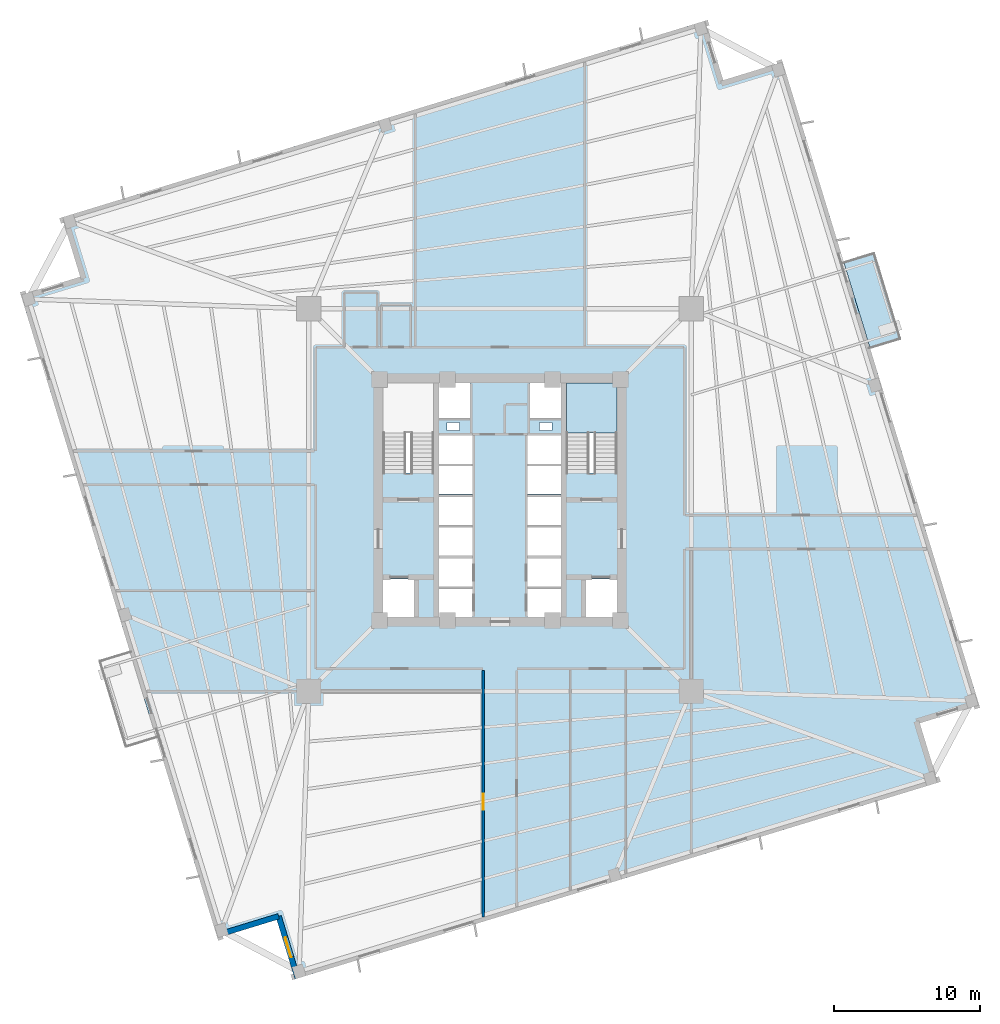
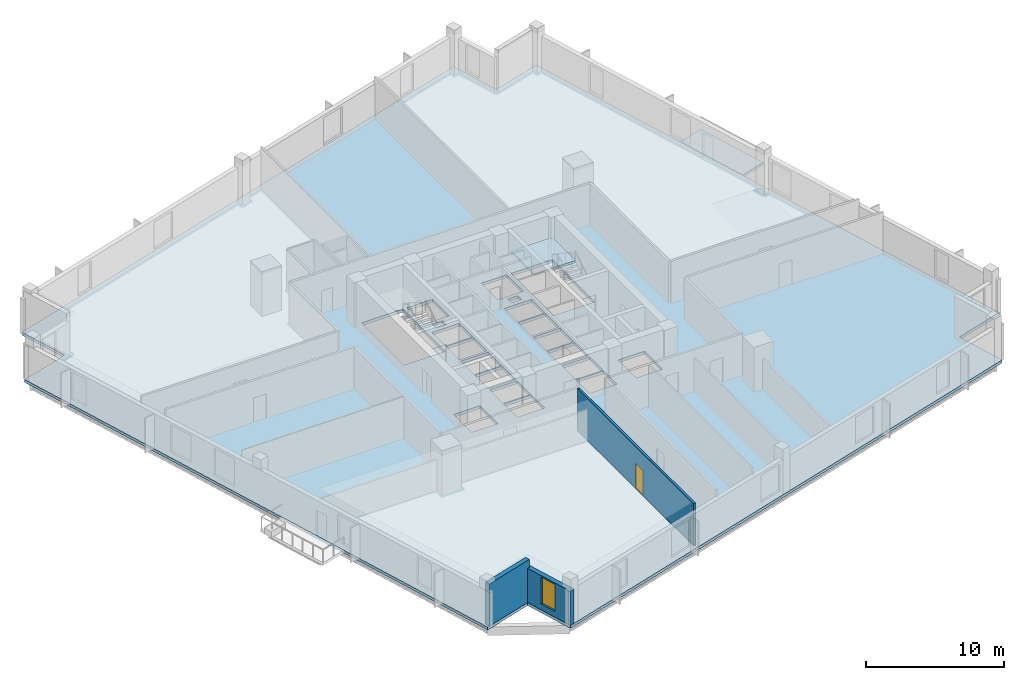
# One storey, part 2 of 9: 3 slabs, 3 walls, 1 door, 1 window, 2 openings, 1 element without a shape of its own.
"""IFC4 building model written with IfcOpenShell, lengths in metres."""

from ifc_helpers import new_model, si_unit, direction, frame, frame_2d, origin, place, context, subcontext, project, spatial, polyline, rectangle, outline, extrude, source, transform, mapped, material, layer, layer_set, type_object, element, fill, aggregate, save


model = new_model("IFC4")

# Units and contexts
model_context = context("Model", 3, precision=1e-05, world=origin(), true_north=direction((0.0, 1.0)))
body_context = subcontext(model_context, "Body", "Model", "MODEL_VIEW")
ifc_project = project(units=[si_unit("LENGTHUNIT", "METRE"), si_unit("AREAUNIT", "SQUARE_METRE"), si_unit("VOLUMEUNIT", "CUBIC_METRE"), si_unit("PLANEANGLEUNIT", "RADIAN"), si_unit("MASSUNIT", "GRAM", prefix="KILO"), si_unit("THERMODYNAMICTEMPERATUREUNIT", "KELVIN")], contexts=[model_context])

# Site, building, storey
site_placement = place(None, origin())
site = spatial("IfcSite", under=ifc_project, at=site_placement, CompositionType="ELEMENT")
building_placement = place(site_placement, origin())
building = spatial("IfcBuilding", under=site, at=building_placement, Name="Kosmvard Interchange Tower", CompositionType="ELEMENT")
storey_placement = place(building_placement, frame((0.0, 0.0, 107.199951171875)))
storey = spatial("IfcBuildingStorey", under=building, at=storey_placement, Name="L25", CompositionType="ELEMENT", Elevation=107.199951171875)

# Slab
ifc_material_1 = material(Name="Concrete C50/60", Category="concrete")
ifc_layer_1 = layer(ifc_material_1, 0.260009765625, Name="Concrete C50/60")
ifc_layer_set_1 = layer_set([ifc_layer_1], Name="Concrete C50/60")
slab_type_1 = type_object("IfcSlabType", Name="Mid-Rise Office Composite Slab 260 C50/60", PredefinedType="FLOOR", material=ifc_layer_set_1)
slab_1_placement = place(storey_placement, frame((0.0, 0.0, -0.260009765625)))
element("IfcSlab", 1, at=slab_1_placement, inside=storey, type_object=slab_type_1, Name="L25 Structural Floor Slab", PredefinedType="FLOOR", context=body_context, shape_type="SweptSolid", body=[
    extrude(outline(polyline([(-14.02783203125, -32.783935546875), (29.962158203125, -19.334716796875), (28.719482421875, -15.2705078125), (32.783935546875, -14.02783203125), (19.334716796875, 29.962158203125), (15.2705078125, 28.719482421875), (14.02783203125, 32.783935546875), (-29.962158203125, 19.334716796875), (-28.719482421875, 15.2705078125), (-32.783935546875, 14.02783203125), (-19.334716796875, -29.962158203125), (-15.2705078125, -28.719482421875), (-14.02783203125, -32.783935546875)]), holes=[polyline([(-8.0, 1.8349609375), (-4.5400390625, 1.8349609375), (-4.5400390625, 8.0), (-8.0, 8.0), (-8.0, 1.8349609375)]), polyline([(4.5400390625, 1.8349609375), (8.0, 1.8349609375), (8.0, 8.0), (4.5400390625, 8.0), (4.5400390625, 1.8349609375)]), polyline([(-8.0, -8.0), (-5.800048828125, -8.0), (-5.800048828125, -5.39990234375), (-8.0, -5.39990234375), (-8.0, -8.0)]), polyline([(5.800048828125, -8.0), (8.0, -8.0), (8.0, -5.39990234375), (5.800048828125, -5.39990234375), (5.800048828125, -8.0)]), polyline([(-4.179931640625, -8.0), (-1.8798828125, -8.0), (-1.8798828125, -6.06005859375), (-4.179931640625, -6.06005859375), (-4.179931640625, -8.0)]), polyline([(-4.179931640625, -5.93994140625), (-1.8798828125, -5.93994140625), (-1.8798828125, -4.0), (-4.179931640625, -4.0), (-4.179931640625, -5.93994140625)]), polyline([(1.8798828125, -8.0), (4.179931640625, -8.0), (4.179931640625, -6.06005859375), (1.8798828125, -6.06005859375), (1.8798828125, -8.0)]), polyline([(1.8798828125, -5.93994140625), (4.179931640625, -5.93994140625), (4.179931640625, -4.0), (1.8798828125, -4.0), (1.8798828125, -5.93994140625)]), polyline([(-4.179931640625, -3.800048828125), (-1.8798828125, -3.800048828125), (-1.8798828125, -1.860107421875), (-4.179931640625, -1.860107421875), (-4.179931640625, -3.800048828125)]), polyline([(-4.179931640625, -1.739990234375), (-1.8798828125, -1.739990234375), (-1.8798828125, 0.199951171875), (-4.179931640625, 0.199951171875), (-4.179931640625, -1.739990234375)]), polyline([(1.8798828125, -3.800048828125), (4.179931640625, -3.800048828125), (4.179931640625, -1.860107421875), (1.8798828125, -1.860107421875), (1.8798828125, -3.800048828125)]), polyline([(1.8798828125, -1.739990234375), (4.179931640625, -1.739990234375), (4.179931640625, 0.199951171875), (1.8798828125, 0.199951171875), (1.8798828125, -1.739990234375)]), polyline([(-4.179931640625, 0.39990234375), (-1.8798828125, 0.39990234375), (-1.8798828125, 2.340087890625), (-4.179931640625, 2.340087890625), (-4.179931640625, 0.39990234375)]), polyline([(-4.179931640625, 2.4599609375), (-1.8798828125, 2.4599609375), (-1.8798828125, 4.39990234375), (-4.179931640625, 4.39990234375), (-4.179931640625, 2.4599609375)]), polyline([(1.8798828125, 0.39990234375), (4.179931640625, 0.39990234375), (4.179931640625, 2.340087890625), (1.8798828125, 2.340087890625), (1.8798828125, 0.39990234375)]), polyline([(1.8798828125, 2.4599609375), (4.179931640625, 2.4599609375), (4.179931640625, 4.39990234375), (1.8798828125, 4.39990234375), (1.8798828125, 2.4599609375)]), polyline([(-4.179931640625, 5.60009765625), (-2.0400390625, 5.60009765625), (-2.0400390625, 8.0), (-4.179931640625, 8.0), (-4.179931640625, 5.60009765625)]), polyline([(2.0400390625, 5.60009765625), (4.179931640625, 5.60009765625), (4.179931640625, 8.0), (2.0400390625, 8.0), (2.0400390625, 5.60009765625)]), polyline([(-3.614990234375, 4.739990234375), (-2.764892578125, 4.739990234375), (-2.764892578125, 5.2900390625), (-3.614990234375, 5.2900390625), (-3.614990234375, 4.739990234375)]), polyline([(2.715087890625, 4.739990234375), (3.56494140625, 4.739990234375), (3.56494140625, 5.2900390625), (2.715087890625, 5.2900390625), (2.715087890625, 4.739990234375)])]), origin(), (0.0, 0.0, 1.0), 0.260009765625),
])

# Stair, slab
stair_type = type_object("IfcStairType", Name="Dog-Leg Core Exit Stair H4000 C50/60", PredefinedType="HALF_TURN_STAIR", material=ifc_material_1)
stair_placement = place(storey_placement, origin())
stair = element("IfcStair", 2, at=stair_placement, inside=storey, type_object=stair_type, Name="L25 Protected Exit Stair ST-2", PredefinedType="HALF_TURN_STAIR")
ifc_layer_2 = layer(ifc_material_1, 0.199951171875, Name="Concrete C50/60")
ifc_layer_set_2 = layer_set([ifc_layer_2], Name="Concrete C50/60")
slab_type_2 = type_object("IfcSlabType", Name="Stair Half-Landing Slab 200 C50/60", PredefinedType="LANDING", material=ifc_layer_set_2)
slab_2_placement = place(storey_placement, frame((0.0, 0.0, 1.800048828125)))
slab_2 = element("IfcSlab", 3, at=slab_2_placement, type_object=slab_type_2, Name="ST-2 landing 1", PredefinedType="LANDING", context=body_context, shape_type="SweptSolid", body=[
    extrude(outline(polyline([(8.0, 4.60009765625), (8.0, 8.0), (4.5400390625, 8.0), (4.5400390625, 4.60009765625), (8.0, 4.60009765625)])), origin(), (0.0, 0.0, 1.0), 0.199951171875),
])
aggregate(stair, [slab_2])

# Slab
ifc_layer_3 = layer(ifc_material_1, 0.22998046875, Name="Concrete C50/60")
ifc_layer_set_3 = layer_set([ifc_layer_3], Name="Concrete C50/60")
slab_type_3 = type_object("IfcSlabType", Name="Tree-Planter Cantilever Balcony Slab 230 C50/60", PredefinedType="FLOOR", material=ifc_layer_set_3)
slab_3_placement = place(storey_placement, frame((0.0, 0.0, -0.22998046875)))
element("IfcSlab", 4, at=slab_3_placement, inside=storey, type_object=slab_type_3, Name="L25 Outdoor Terrace Balcony Slab BAL-L25-E", PredefinedType="FLOOR", context=body_context, shape_type="SweptSolid", body=[
    extrude(outline(polyline([(25.328369140625, 10.35791015625), (27.43212890625, 11.001220703125), (25.61962890625, 16.93017578125), (23.515625, 16.286865234375), (25.328369140625, 10.35791015625)])), origin(), (0.0, 0.0, 1.0), 0.22998046875),
])

# Wall, opening, door
ifc_material_2 = material(Name="Fire-rated gypsum partition system")
ifc_layer_4 = layer(ifc_material_2, 0.179931640625, Name="Fire-rated gypsum partition system")
ifc_layer_set_4 = layer_set([ifc_layer_4], Name="Fire-rated gypsum partition system")
wall_type_1 = type_object("IfcWallType", Name="Corridor & Hotel Compartment Partition 180", PredefinedType="PARTITIONING", material=ifc_layer_set_4)
wall_1_placement = place(storey_placement, frame((-1.14990234375, -28.517333984375, 0.0), z_axis=(0.0, 0.0, 1.0), x_axis=(0.0, 1.0, 0.0)))
wall_1 = element("IfcWall", 5, at=wall_1_placement, inside=storey, type_object=wall_type_1, Name="L25 Corridor Wall SSW", PredefinedType="PARTITIONING", context=body_context, shape_type="SweptSolid", body=[
    extrude(rectangle(XDim=16.867431640625, YDim=0.179931640625, at=frame_2d((8.43359375, 0.0))), origin(), (0.0, 0.0, 1.0), 3.739990234375),
])
opening_1_placement = place(wall_1_placement, frame((7.33251953125, 0.0, 0.0)))
opening_1 = element("IfcOpeningElement", 6, at=opening_1_placement, cuts=wall_1, Name="Opening L25-D12", PredefinedType="OPENING", context=body_context, shape_type="SweptSolid", body=[
    extrude(rectangle(XDim=1.10009765625, YDim=2.199951171875, at=frame_2d((0.550048828125, 1.10009765625))), frame((0.0, 0.10009765625, 0.0), z_axis=(0.0, -1.0, 0.0), x_axis=(1.0, 0.0, 0.0)), (0.0, 0.0, 1.0), 0.199951171875),
])
ifc_material_3 = material(Name="Engineered oak fire-rated timber", Category="wood")
door_type = type_object("IfcDoorType", Name="Office Suite Entrance Door 1100x2200 FD30S", OperationType="NOTDEFINED", PredefinedType="DOOR", material=ifc_material_3)
shared_shape_1 = source(origin(), body_context, "Body", "SweptSolid", [
    extrude(rectangle(XDim=1.10009765625, YDim=2.199951171875, at=frame_2d((0.550048828125, 1.10009765625))), frame((0.0, 0.02490234375, 0.0), z_axis=(0.0, -1.0, 0.0), x_axis=(1.0, 0.0, 0.0)), (0.0, 0.0, 1.0), 0.050048828125),
])
door_placement = place(opening_1_placement, origin())
door = element("IfcDoor", 7, at=door_placement, inside=storey, type_object=door_type, Name="L25 South-West Trading Office 3 Door", OperationType="SINGLE_SWING_RIGHT", OverallHeight=2.199951171875, OverallWidth=1.10009765625, PredefinedType="DOOR", context=body_context, shape_type="MappedRepresentation", body=[
    mapped(shared_shape_1, transform((0.0, 0.0, 0.0), scale=1.0)),
])
fill(opening_1, door)

# Wall
ifc_material_4 = material(Name="Precast concrete C45/55", Category="concrete")
ifc_layer_5 = layer(ifc_material_4, 0.3798828125, Name="Precast concrete C45/55")
ifc_layer_set_5 = layer_set([ifc_layer_5], Name="Precast concrete C45/55")
wall_type_2 = type_object("IfcWallType", Name="Lower Tower Precast Pier Wall 380 C45/55", PredefinedType="STANDARD", material=ifc_layer_set_5)
wall_2_placement = place(storey_placement, frame((-19.20849609375, -29.724853515625, 0.0), z_axis=(0.0, 0.0, 1.0), x_axis=(0.956312764915, 0.292345507338, 0.0)))
element("IfcWall", 8, at=wall_2_placement, inside=storey, type_object=wall_type_2, Name="L25 Precast Facade Wall N-SW1", PredefinedType="STANDARD", context=body_context, shape_type="SweptSolid", body=[
    extrude(rectangle(XDim=4.249755859375, YDim=0.3798828125, at=frame_2d((2.125, 0.0))), origin(), (0.0, 0.0, 1.0), 3.739990234375),
])

# Wall, opening, window
wall_3_placement = place(storey_placement, frame((-15.144287109375, -28.482421875, 0.0), z_axis=(0.0, 0.0, 1.0), x_axis=(0.292373601522, -0.956304176051, 0.0)))
wall_3 = element("IfcWall", 9, at=wall_3_placement, inside=storey, type_object=wall_type_2, Name="L25 Precast Facade Wall N-SW2", PredefinedType="STANDARD", context=body_context, shape_type="SweptSolid", body=[
    extrude(rectangle(XDim=4.43994140625, YDim=0.3798828125, at=frame_2d((2.219970703125, 0.0))), origin(), (0.0, 0.0, 1.0), 3.0400390625),
])
opening_2_placement = place(wall_3_placement, frame((1.52001953125, 0.0, 0.510009765625)))
opening_2 = element("IfcOpeningElement", 10, at=opening_2_placement, cuts=wall_3, Name="Opening L25-W23", PredefinedType="OPENING", context=body_context, shape_type="SweptSolid", body=[
    extrude(rectangle(XDim=1.39990234375, YDim=2.39990234375, at=frame_2d((0.699951171875, 1.199951171875))), frame((0.0, 0.199951171875, 0.0), z_axis=(0.0, -1.0, 0.0), x_axis=(1.0, 0.0, 0.0)), (0.0, 0.0, 1.0), 0.39990234375),
])
ifc_material_5 = material(Name="Low-E solar-control double glazing", Category="glass")
window_type = type_object("IfcWindowType", Name="Notched Corner Feature Window 1400x2400", PartitioningType="SINGLE_PANEL", PredefinedType="WINDOW", material=ifc_material_5)
shared_shape_2 = source(origin(), body_context, "Body", "SweptSolid", [
    extrude(rectangle(XDim=1.39990234375, YDim=2.39990234375, at=frame_2d((0.699951171875, 1.199951171875))), frame((0.0, 0.030029296875, 0.0), z_axis=(0.0, -1.0, 0.0), x_axis=(1.0, 0.0, 0.0)), (0.0, 0.0, 1.0), 0.06005859375),
])
window_placement = place(opening_2_placement, origin())
window = element("IfcWindow", 11, at=window_placement, inside=storey, type_object=window_type, Name="L25 Corner Notch Window 23", OverallHeight=2.39990234375, OverallWidth=1.39990234375, PartitioningType="SINGLE_PANEL", PredefinedType="WINDOW", context=body_context, shape_type="MappedRepresentation", body=[
    mapped(shared_shape_2, transform((0.0, 0.0, 0.0), scale=1.0)),
])
fill(opening_2, window)

save(model, "model.ifc")
